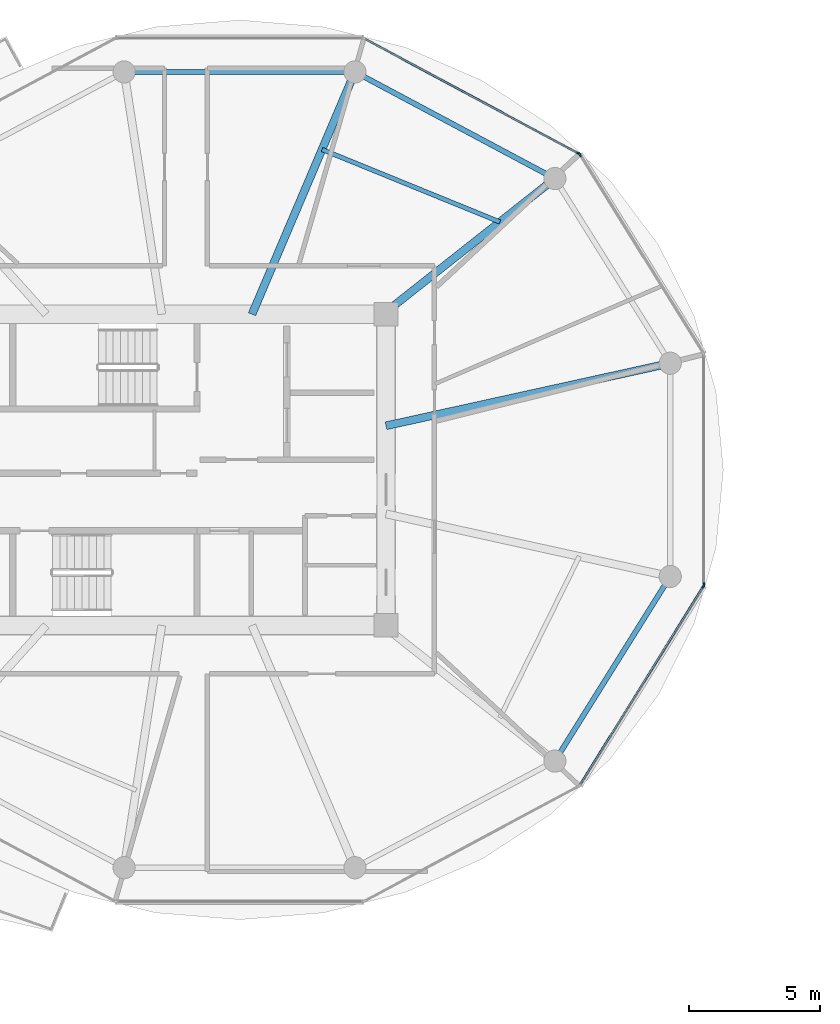
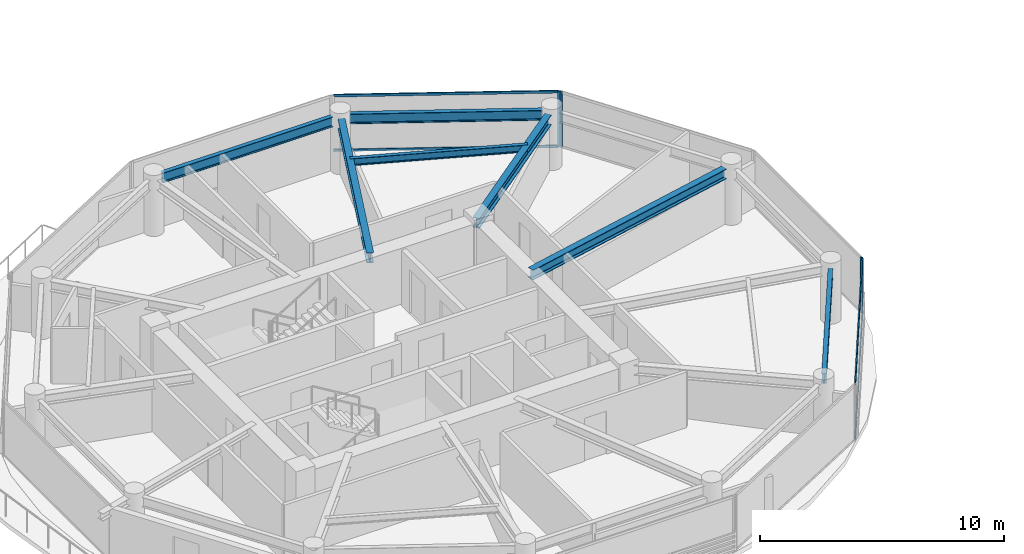
# One storey, part 5 of 23: 8 members, 7 beams, 4 elements without a shape of their own.
"""IFC4 building model written with IfcOpenShell, lengths in metres."""

from ifc_helpers import new_model, si_unit, direction, frame, origin, origin_2d, place, context, subcontext, project, spatial, rectangle, i_section, extrude, source, transform, mapped, material, layer, layer_set, material_profile, profile_set, type_object, type_shapes, element, aggregate, save


model = new_model("IFC4")

# Units and contexts
model_context = context("Model", 3, precision=1e-05, world=origin(), true_north=direction((0.0, 1.0)))
body_context = subcontext(model_context, "Body", "Model", "MODEL_VIEW")
ifc_project = project(units=[si_unit("LENGTHUNIT", "METRE"), si_unit("AREAUNIT", "SQUARE_METRE"), si_unit("VOLUMEUNIT", "CUBIC_METRE"), si_unit("PLANEANGLEUNIT", "RADIAN"), si_unit("MASSUNIT", "GRAM", prefix="KILO")], contexts=[model_context])

# Site, building, storey
site_placement = place(None, origin())
site = spatial("IfcSite", under=ifc_project, at=site_placement, CompositionType="ELEMENT")
building_placement = place(site_placement, origin())
building = spatial("IfcBuilding", under=site, at=building_placement, Name="Norrkilde Senior Care Towers", CompositionType="ELEMENT")
storey_placement = place(building_placement, frame((0.0, 0.0, 93.199951171875)))
storey = spatial("IfcBuildingStorey", under=building, at=storey_placement, Name="L28", CompositionType="ELEMENT", Elevation=93.199951171875)

# Beams
ifc_material_1 = material(Name="Steel S355", Category="steel")
ifc_material_profile_1 = material_profile(ifc_material_1, i_section(OverallWidth=0.199951171875, OverallDepth=0.5, WebThickness=0.01025390625, FlangeThickness=0.01611328125, FilletRadius=0.02099609375, at=origin_2d()), Name="IPE 500")
ifc_profile_set_1 = profile_set([ifc_material_profile_1], Name="Steel S355")
beam_type_1 = type_object("IfcBeamType", Name="Perimeter Ring Spandrel Z2 IPE500", PredefinedType="SPANDREL", material=ifc_profile_set_1)
shared_shape_1 = source(origin(), body_context, "Body", "SweptSolid", [
    extrude(i_section(OverallWidth=0.199951171875, OverallDepth=0.5, WebThickness=0.01025390625, FlangeThickness=0.01611328125, FilletRadius=0.02099609375, at=origin_2d()), origin(), (0.0, 0.0, 1.0), 7.55615234375),
])
beam_1_placement = place(storey_placement, frame((-13.689697265625, -10.810546875, 2.5400390625), z_axis=(0.529981514254, 0.848009194849, 0.0), x_axis=(-0.848009194849, 0.529981514254, 0.0)))
element("IfcBeam", 1, at=beam_1_placement, inside=storey, type_object=beam_type_1, Name="L28 Drum W Perimeter Spandrel 11", PredefinedType="SPANDREL", context=body_context, shape_type="MappedRepresentation", body=[
    mapped(shared_shape_1, transform((0.0, 0.0, 0.0), x_axis=(1.0, 0.0, 0.0), y_axis=(0.0, 1.0, 0.0), z_axis=(0.0, 0.0, 1.0), scale=1.0)),
])
ifc_material_profile_2 = material_profile(ifc_material_1, i_section(OverallWidth=0.300048828125, OverallDepth=0.5, WebThickness=0.014404296875, FlangeThickness=0.028076171875, FilletRadius=0.027099609375, at=origin_2d()), Name="HEB 500")
ifc_profile_set_2 = profile_set([ifc_material_profile_2], Name="Steel S355")
beam_type_2 = type_object("IfcBeamType", Name="Radial Floor Beam Z2 HEB500", PredefinedType="BEAM", material=ifc_profile_set_2)
shared_shape_2 = source(origin(), body_context, "Body", "SweptSolid", [
    extrude(i_section(OverallWidth=0.300048828125, OverallDepth=0.5, WebThickness=0.014404296875, FlangeThickness=0.028076171875, FilletRadius=0.027099609375, at=origin_2d()), origin(), (0.0, 0.0, 1.0), 10.744384765625),
])
beam_2_placement = place(storey_placement, frame((-20.35009765625, 1.683837890625, 2.5400390625), z_axis=(0.976618711422, 0.214978818724, 0.0), x_axis=(-0.214978818724, 0.976618711422, 0.0)))
element("IfcBeam", 2, at=beam_2_placement, inside=storey, type_object=beam_type_2, Name="L28 Drum W Radial Floor Beam 01", PredefinedType="BEAM", context=body_context, shape_type="MappedRepresentation", body=[
    mapped(shared_shape_2, transform((0.0, 0.0, 0.0), x_axis=(1.0, 0.0, 0.0), y_axis=(0.0, 1.0, 0.0), z_axis=(0.0, 0.0, 1.0), scale=1.0)),
])
shared_shape_3 = source(origin(), body_context, "Body", "SweptSolid", [
    extrude(i_section(OverallWidth=0.199951171875, OverallDepth=0.5, WebThickness=0.01025390625, FlangeThickness=0.01611328125, FilletRadius=0.02099609375, at=origin_2d()), origin(), (0.0, 0.0, 1.0), 7.892333984375),
])
beam_3_placement = place(storey_placement, frame((-14.233642578125, 11.318115234375, 2.5400390625), z_axis=(-0.882350372282, 0.47059305194, 0.0), x_axis=(-0.47059305194, -0.882350372282, 0.0)))
element("IfcBeam", 3, at=beam_3_placement, inside=storey, type_object=beam_type_1, Name="L28 Drum W Perimeter Spandrel 02", PredefinedType="SPANDREL", context=body_context, shape_type="MappedRepresentation", body=[
    mapped(shared_shape_3, transform((0.0, 0.0, 0.0), x_axis=(1.0, 0.0, 0.0), y_axis=(0.0, 1.0, 0.0), z_axis=(0.0, 0.0, 1.0), scale=1.0)),
])
shared_shape_4 = source(origin(), body_context, "Body", "SweptSolid", [
    extrude(i_section(OverallWidth=0.300048828125, OverallDepth=0.5, WebThickness=0.014404296875, FlangeThickness=0.028076171875, FilletRadius=0.027099609375, at=origin_2d()), origin(), (0.0, 0.0, 1.0), 7.985595703125),
])
beam_4_placement = place(storey_placement, frame((-20.463623046875, 5.949951171875, 2.5400390625), z_axis=(0.784858505144, 0.619675017169, 0.0), x_axis=(-0.619675017169, 0.784858505144, 0.0)))
element("IfcBeam", 4, at=beam_4_placement, inside=storey, type_object=beam_type_2, Name="L28 Drum W Radial Floor Beam 02", PredefinedType="BEAM", context=body_context, shape_type="MappedRepresentation", body=[
    mapped(shared_shape_4, transform((0.0, 0.0, 0.0), x_axis=(1.0, 0.0, 0.0), y_axis=(0.0, 1.0, 0.0), z_axis=(0.0, 0.0, 1.0), scale=1.0)),
])
shared_shape_5 = source(origin(), body_context, "Body", "SweptSolid", [
    extrude(i_section(OverallWidth=0.199951171875, OverallDepth=0.5, WebThickness=0.01025390625, FlangeThickness=0.01611328125, FilletRadius=0.02099609375, at=origin_2d()), origin(), (0.0, 0.0, 1.0), 8.0556640625),
])
type_shapes(beam_type_1, [shared_shape_1, shared_shape_3, shared_shape_5])
beam_5_placement = place(storey_placement, frame((-21.922119140625, 15.21337890625, 2.5400390625), z_axis=(-1.0, 0.0, 0.0), x_axis=(0.0, -1.0, 0.0)))
element("IfcBeam", 5, at=beam_5_placement, inside=storey, type_object=beam_type_1, Name="L28 Drum W Perimeter Spandrel 03", PredefinedType="SPANDREL", context=body_context, shape_type="MappedRepresentation", body=[
    mapped(shared_shape_5, transform((0.0, 0.0, 0.0), x_axis=(1.0, 0.0, 0.0), y_axis=(0.0, 1.0, 0.0), z_axis=(0.0, 0.0, 1.0), scale=1.0)),
])
shared_shape_6 = source(origin(), body_context, "Body", "SweptSolid", [
    extrude(i_section(OverallWidth=0.300048828125, OverallDepth=0.5, WebThickness=0.014404296875, FlangeThickness=0.028076171875, FilletRadius=0.027099609375, at=origin_2d()), origin(), (0.0, 0.0, 1.0), 9.679443359375),
])
type_shapes(beam_type_2, [shared_shape_2, shared_shape_4, shared_shape_6])
beam_6_placement = place(storey_placement, frame((-25.472412109375, 5.949951171875, 2.5400390625), z_axis=(0.390998033479, 0.920391513333, 0.0), x_axis=(-0.920391513333, 0.390998033479, 0.0)))
element("IfcBeam", 6, at=beam_6_placement, inside=storey, type_object=beam_type_2, Name="L28 Drum W Radial Floor Beam 03", PredefinedType="BEAM", context=body_context, shape_type="MappedRepresentation", body=[
    mapped(shared_shape_6, transform((0.0, 0.0, 0.0), x_axis=(1.0, 0.0, 0.0), y_axis=(0.0, 1.0, 0.0), z_axis=(0.0, 0.0, 1.0), scale=1.0)),
])
ifc_material_profile_3 = material_profile(ifc_material_1, i_section(OverallWidth=0.169921875, OverallDepth=0.360107421875, WebThickness=0.008056640625, FlangeThickness=0.0126953125, FilletRadius=0.01806640625, at=origin_2d()), Name="IPE 360")
ifc_profile_set_3 = profile_set([ifc_material_profile_3], Name="Steel S355")
beam_type_3 = type_object("IfcBeamType", Name="Secondary Floor Joist IPE360", PredefinedType="JOIST", material=ifc_profile_set_3)
shared_shape_7 = source(origin(), body_context, "Body", "SweptSolid", [
    extrude(i_section(OverallWidth=0.169921875, OverallDepth=0.360107421875, WebThickness=0.008056640625, FlangeThickness=0.0126953125, FilletRadius=0.01806640625, at=origin_2d()), origin(), (0.0, 0.0, 1.0), 7.343505859375),
])
type_shapes(beam_type_3, [shared_shape_7])
beam_7_placement = place(storey_placement, frame((-15.99609375, 9.47705078125, 2.610107421875), z_axis=(-0.926021784767, 0.377470070519, 0.0), x_axis=(-0.377470070519, -0.926021784767, 0.0)))
element("IfcBeam", 7, at=beam_7_placement, inside=storey, type_object=beam_type_3, Name="L28 Drum W Secondary Floor Joist 1", PredefinedType="JOIST", context=body_context, shape_type="MappedRepresentation", body=[
    mapped(shared_shape_7, transform((0.0, 0.0, 0.0), x_axis=(1.0, 0.0, 0.0), y_axis=(0.0, 1.0, 0.0), z_axis=(0.0, 0.0, 1.0), scale=1.0)),
])

# Curtain wall, member
ifc_material_2 = material(Name="Triple Low-E Insulated Glazing", Category="glass")
ifc_layer = layer(ifc_material_2, 0.195068359375)
ifc_layer_set = layer_set([ifc_layer], Name="Triple Low-E Insulated Glazing")
curtain_wall_type = type_object("IfcCurtainWallType", Name="CW3 Zone 2 Assisted Living Curtain Wall", PredefinedType="NOTDEFINED", material=ifc_layer_set)
curtain_wall_1_placement = place(storey_placement, origin())
curtain_wall_1 = element("IfcCurtainWall", 8, at=curtain_wall_1_placement, inside=storey, type_object=curtain_wall_type, Name="L28 Drum W Curtain Wall 00", PredefinedType="NOTDEFINED")
ifc_material_3 = material(Name="Anodised Aluminium", Category="aluminium")
ifc_material_profile_4 = material_profile(ifc_material_3, rectangle(XDim=0.06494140625, YDim=0.159912109375, at=origin_2d()), Name="ALU MULL 65x160")
ifc_profile_set_4 = profile_set([ifc_material_profile_4], Name="Anodised Aluminium")
member_type_1 = type_object("IfcMemberType", Name="Curtain Wall Mullion Z1-Z2 65x160", PredefinedType="MULLION", material=ifc_profile_set_4)
shared_shape_8 = source(origin(), body_context, "Body", "SweptSolid", [
    extrude(rectangle(XDim=0.06494140625, YDim=0.159912109375, at=origin_2d()), origin(), (0.0, 0.0, 1.0), 2.7900390625),
])
type_shapes(member_type_1, [shared_shape_8])
member_1_placement = place(storey_placement, frame((-12.936279296875, 12.0498046875, 0.0), z_axis=(0.0, 0.0, 1.0), x_axis=(0.849410171862, 0.527733228002, 0.0)))
member_1 = element("IfcMember", 9, at=member_1_placement, type_object=member_type_1, Name="CW-3 mullion 1", PredefinedType="MULLION", context=body_context, shape_type="MappedRepresentation", body=[
    mapped(shared_shape_8, transform((0.0, 0.0, 0.0), x_axis=(1.0, 0.0, 0.0), y_axis=(0.0, 1.0, 0.0), z_axis=(0.0, 0.0, 1.0), scale=1.0)),
])
aggregate(curtain_wall_1, [member_1])

curtain_wall_2_placement = place(storey_placement, origin())
curtain_wall_2 = element("IfcCurtainWall", 10, at=curtain_wall_2_placement, inside=storey, type_object=curtain_wall_type, Name="L28 Drum W Curtain Wall 01", PredefinedType="NOTDEFINED")
member_2_placement = place(storey_placement, frame((-12.98193359375, 12.0927734375, 0.0), z_axis=(0.0, 0.0, 1.0), x_axis=(0.472769402511, 0.881186184668, 0.0)))
member_2 = element("IfcMember", 11, at=member_2_placement, type_object=member_type_1, Name="CW-3 mullion 2", PredefinedType="MULLION", context=body_context, shape_type="MappedRepresentation", body=[
    mapped(shared_shape_8, transform((0.0, 0.0, 0.0), x_axis=(1.0, 0.0, 0.0), y_axis=(0.0, 1.0, 0.0), z_axis=(0.0, 0.0, 1.0), scale=1.0)),
])

curtain_wall_3_placement = place(storey_placement, origin())
curtain_wall_3 = element("IfcCurtainWall", 12, at=curtain_wall_3_placement, inside=storey, type_object=curtain_wall_type, Name="L28 Drum W Curtain Wall 10", PredefinedType="NOTDEFINED")
member_3_placement = place(storey_placement, frame((-8.21337890625, -4.4482421875, 0.0), z_axis=(0.0, 0.0, 1.0), x_axis=(0.849410171862, -0.527733228002, 0.0)))
member_3 = element("IfcMember", 13, at=member_3_placement, type_object=member_type_1, Name="CW-3 mullion 1", PredefinedType="MULLION", context=body_context, shape_type="MappedRepresentation", body=[
    mapped(shared_shape_8, transform((0.0, 0.0, 0.0), x_axis=(1.0, 0.0, 0.0), y_axis=(0.0, 1.0, 0.0), z_axis=(0.0, 0.0, 1.0), scale=1.0)),
])

curtain_wall_4_placement = place(storey_placement, origin())
curtain_wall_4 = element("IfcCurtainWall", 14, at=curtain_wall_4_placement, inside=storey, type_object=curtain_wall_type, Name="L28 Drum W Curtain Wall 11", PredefinedType="NOTDEFINED")
member_4_placement = place(storey_placement, frame((-8.1962890625, -4.38818359375, 0.0), z_axis=(0.0, 0.0, 1.0), x_axis=(1.0, 0.0, 0.0)))
member_4 = element("IfcMember", 15, at=member_4_placement, type_object=member_type_1, Name="CW-3 mullion 2", PredefinedType="MULLION", context=body_context, shape_type="MappedRepresentation", body=[
    mapped(shared_shape_8, transform((0.0, 0.0, 0.0), x_axis=(1.0, 0.0, 0.0), y_axis=(0.0, 1.0, 0.0), z_axis=(0.0, 0.0, 1.0), scale=1.0)),
])
aggregate(curtain_wall_4, [member_4])

# Member
ifc_material_profile_5 = material_profile(ifc_material_3, rectangle(XDim=0.06005859375, YDim=0.1201171875, at=origin_2d()), Name="ALU TRAN 60x120")
ifc_profile_set_5 = profile_set([ifc_material_profile_5], Name="Anodised Aluminium")
member_type_2 = type_object("IfcMemberType", Name="Curtain Wall Transom Typical 60x120", PredefinedType="USERDEFINED", material=ifc_profile_set_5)
shared_shape_9 = source(origin(), body_context, "Body", "SweptSolid", [
    extrude(rectangle(XDim=0.06005859375, YDim=0.1201171875, at=origin_2d()), origin(), (0.0, 0.0, 1.0), 8.88427734375),
])
member_5_placement = place(storey_placement, frame((-8.23046875, -4.475830078125, 0.030029296875), z_axis=(-0.527749293309, -0.849400190377, 0.0), x_axis=(0.849400190377, -0.527749293309, 0.0)))
member_5 = element("IfcMember", 16, at=member_5_placement, type_object=member_type_2, Name="CW-3 transom 1.1", ObjectType="TRANSOM", PredefinedType="USERDEFINED", context=body_context, shape_type="MappedRepresentation", body=[
    mapped(shared_shape_9, transform((0.0, 0.0, 0.0), x_axis=(1.0, 0.0, 0.0), y_axis=(0.0, 1.0, 0.0), z_axis=(0.0, 0.0, 1.0), scale=1.0)),
])

member_6_placement = place(storey_placement, frame((-8.23046875, -4.475830078125, 2.760009765625), z_axis=(-0.527749293309, -0.849400190377, 0.0), x_axis=(0.849400190377, -0.527749293309, 0.0)))
member_6 = element("IfcMember", 17, at=member_6_placement, type_object=member_type_2, Name="CW-3 transom 1.2", ObjectType="TRANSOM", PredefinedType="USERDEFINED", context=body_context, shape_type="MappedRepresentation", body=[
    mapped(shared_shape_9, transform((0.0, 0.0, 0.0), x_axis=(1.0, 0.0, 0.0), y_axis=(0.0, 1.0, 0.0), z_axis=(0.0, 0.0, 1.0), scale=1.0)),
])

aggregate(curtain_wall_3, [member_3, member_5, member_6])

shared_shape_10 = source(origin(), body_context, "Body", "SweptSolid", [
    extrude(rectangle(XDim=0.06005859375, YDim=0.1201171875, at=origin_2d()), origin(), (0.0, 0.0, 1.0), 9.220458984375),
])
type_shapes(member_type_2, [shared_shape_9, shared_shape_10])
member_7_placement = place(storey_placement, frame((-21.1357421875, 16.46728515625, 0.030029296875), z_axis=(0.881188517866, -0.472765053681, 0.0), x_axis=(0.472765053681, 0.881188517866, 0.0)))
member_7 = element("IfcMember", 18, at=member_7_placement, type_object=member_type_2, Name="CW-3 transom 1.1", ObjectType="TRANSOM", PredefinedType="USERDEFINED", context=body_context, shape_type="MappedRepresentation", body=[
    mapped(shared_shape_10, transform((0.0, 0.0, 0.0), x_axis=(1.0, 0.0, 0.0), y_axis=(0.0, 1.0, 0.0), z_axis=(0.0, 0.0, 1.0), scale=1.0)),
])

member_8_placement = place(storey_placement, frame((-21.1357421875, 16.46728515625, 2.760009765625), z_axis=(0.881188517866, -0.472765053681, 0.0), x_axis=(0.472765053681, 0.881188517866, 0.0)))
member_8 = element("IfcMember", 19, at=member_8_placement, type_object=member_type_2, Name="CW-3 transom 1.2", ObjectType="TRANSOM", PredefinedType="USERDEFINED", context=body_context, shape_type="MappedRepresentation", body=[
    mapped(shared_shape_10, transform((0.0, 0.0, 0.0), x_axis=(1.0, 0.0, 0.0), y_axis=(0.0, 1.0, 0.0), z_axis=(0.0, 0.0, 1.0), scale=1.0)),
])

aggregate(curtain_wall_2, [member_2, member_7, member_8])

save(model, "model.ifc")
